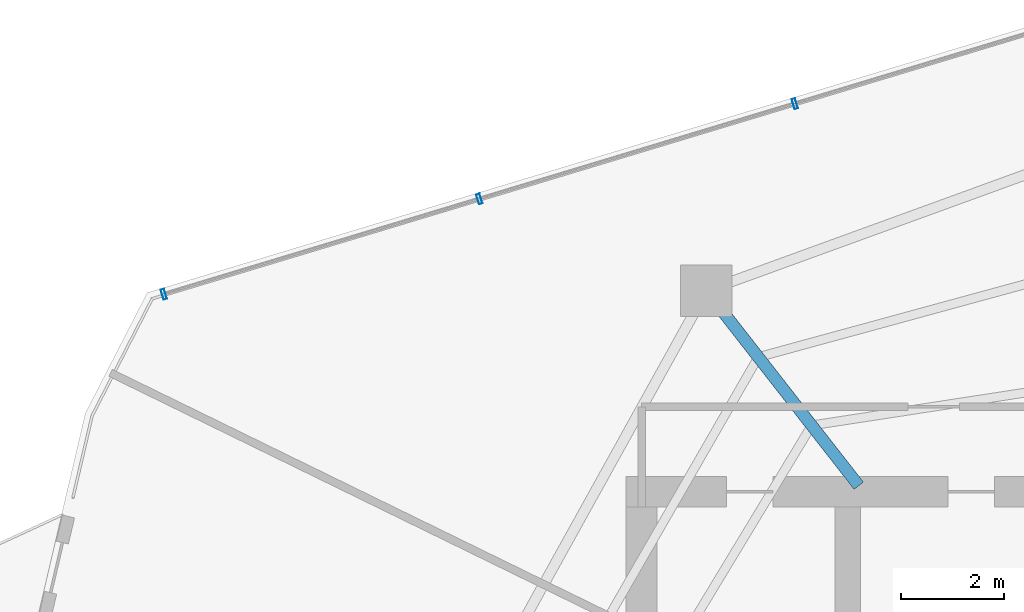
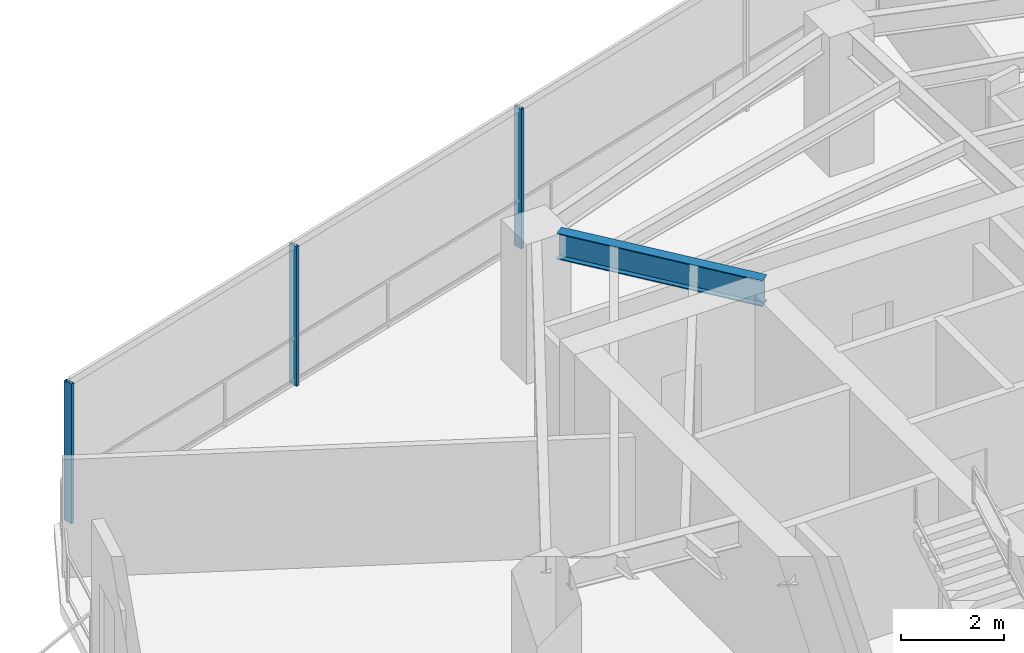
# One storey, part 11 of 19: 3 members, 1 beam, 1 element without a shape of its own.
"""IFC4 building model written with IfcOpenShell, lengths in metres."""

from ifc_helpers import new_model, si_unit, direction, frame, origin, origin_2d, place, context, subcontext, project, spatial, hollow_rectangle, i_section, extrude, material, layer, layer_set, material_profile, profile_set, type_object, element, aggregate, save


model = new_model("IFC4")

# Units and contexts
model_context = context("Model", 3, precision=1e-05, world=origin(), true_north=direction((0.0, 1.0)))
body_context = subcontext(model_context, "Body", "Model", "MODEL_VIEW")
ifc_project = project(units=[si_unit("LENGTHUNIT", "METRE"), si_unit("AREAUNIT", "SQUARE_METRE"), si_unit("VOLUMEUNIT", "CUBIC_METRE"), si_unit("PLANEANGLEUNIT", "RADIAN"), si_unit("MASSUNIT", "GRAM", prefix="KILO")], contexts=[model_context])

# Site, building, storey
site_placement = place(None, origin())
site = spatial("IfcSite", under=ifc_project, at=site_placement, CompositionType="ELEMENT")
building_placement = place(site_placement, origin())
building = spatial("IfcBuilding", under=site, at=building_placement, Name="Qarnah Convention Tower", CompositionType="ELEMENT")
storey_placement = place(building_placement, frame((0.0, 0.0, 129.300048828125)))
storey = spatial("IfcBuildingStorey", under=building, at=storey_placement, Name="L34", CompositionType="ELEMENT", Elevation=129.300048828125)

# Beam
ifc_material_1 = material(Name="Structural steel S355JR", Category="steel")
ifc_material_profile_1 = material_profile(ifc_material_1, i_section(OverallWidth=0.22998046875, OverallDepth=0.617919921875, WebThickness=0.012939453125, FlangeThickness=0.02197265625, at=origin_2d()), Name="W610X140")
ifc_profile_set_1 = profile_set([ifc_material_profile_1], Name="Structural steel S355JR")
beam_type = type_object("IfcBeamType", Name="BM-RAD-W610A", PredefinedType="BEAM", material=ifc_profile_set_1)
beam_placement = place(storey_placement, frame((31.013916015625, 34.318115234375, 3.010986328125), z_axis=(-0.615636368947, 0.788030368215, 0.0), x_axis=(-0.788030368215, -0.615636368947, 0.0)))
element("IfcBeam", 1, at=beam_placement, inside=storey, type_object=beam_type, Name="L34 beam BM-L34-RAD-04", PredefinedType="BEAM", context=body_context, shape_type="SweptSolid", body=[
    extrude(i_section(OverallWidth=0.22998046875, OverallDepth=0.617919921875, WebThickness=0.012939453125, FlangeThickness=0.02197265625, at=origin_2d()), origin(), (0.0, 0.0, 1.0), 4.322265625),
])

# Curtain wall, members
ifc_material_2 = material(Name="Tempered Low-E dark glass", Category="glass")
ifc_layer = layer(ifc_material_2, 0.172119140625)
ifc_layer_set = layer_set([ifc_layer], Name="Tempered Low-E dark glass")
curtain_wall_type = type_object("IfcCurtainWallType", Name="CWS-03", PredefinedType="NOTDEFINED", material=ifc_layer_set)
curtain_wall_placement = place(storey_placement, origin())
curtain_wall = element("IfcCurtainWall", 2, at=curtain_wall_placement, inside=storey, type_object=curtain_wall_type, Name="L34 unitised curtain wall CW-L34-F2", PredefinedType="NOTDEFINED")
ifc_material_3 = material(Name="Black anodised aluminium", Category="aluminium")
ifc_material_profile_2 = material_profile(ifc_material_3, hollow_rectangle(XDim=0.070068359375, YDim=0.199951171875, WallThickness=0.0048828125, at=origin_2d()), Name="MUL-70X200")
ifc_profile_set_2 = profile_set([ifc_material_profile_2], Name="Black anodised aluminium")
member_type = type_object("IfcMemberType", Name="MUL-T3", PredefinedType="MULLION", material=ifc_profile_set_2)
member_1_placement = place(storey_placement, frame((17.52197265625, 38.035888671875, 0.0), z_axis=(0.0, 0.0, 1.0), x_axis=(0.957321510287, 0.289025130295, 0.0)))
member_1 = element("IfcMember", 3, at=member_1_placement, type_object=member_type, Name="CW-L34-F2 mullion 1", PredefinedType="MULLION", context=body_context, shape_type="SweptSolid", body=[
    extrude(hollow_rectangle(XDim=0.070068359375, YDim=0.199951171875, WallThickness=0.0048828125, at=origin_2d()), origin(), (0.0, 0.0, 1.0), 3.320068359375),
])
member_2_placement = place(storey_placement, frame((23.64697265625, 39.88525390625, 0.0), z_axis=(0.0, 0.0, 1.0), x_axis=(0.957321510287, 0.289025130295, 0.0)))
member_2 = element("IfcMember", 4, at=member_2_placement, type_object=member_type, Name="CW-L34-F2 mullion 2", PredefinedType="MULLION", context=body_context, shape_type="SweptSolid", body=[
    extrude(hollow_rectangle(XDim=0.070068359375, YDim=0.199951171875, WallThickness=0.0048828125, at=origin_2d()), origin(), (0.0, 0.0, 1.0), 3.320068359375),
])
member_3_placement = place(storey_placement, frame((29.77197265625, 41.734375, 0.0), z_axis=(0.0, 0.0, 1.0), x_axis=(0.957321510287, 0.289025130295, 0.0)))
member_3 = element("IfcMember", 5, at=member_3_placement, type_object=member_type, Name="CW-L34-F2 mullion 3", PredefinedType="MULLION", context=body_context, shape_type="SweptSolid", body=[
    extrude(hollow_rectangle(XDim=0.070068359375, YDim=0.199951171875, WallThickness=0.0048828125, at=origin_2d()), origin(), (0.0, 0.0, 1.0), 3.320068359375),
])
aggregate(curtain_wall, [member_1, member_2, member_3])

save(model, "model.ifc")
